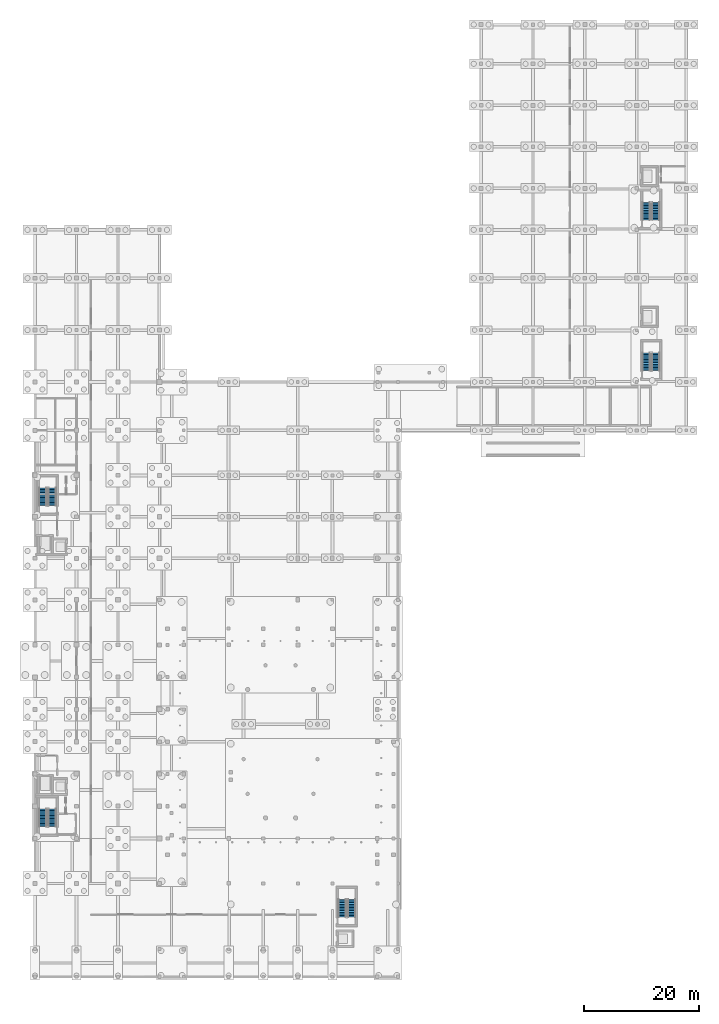
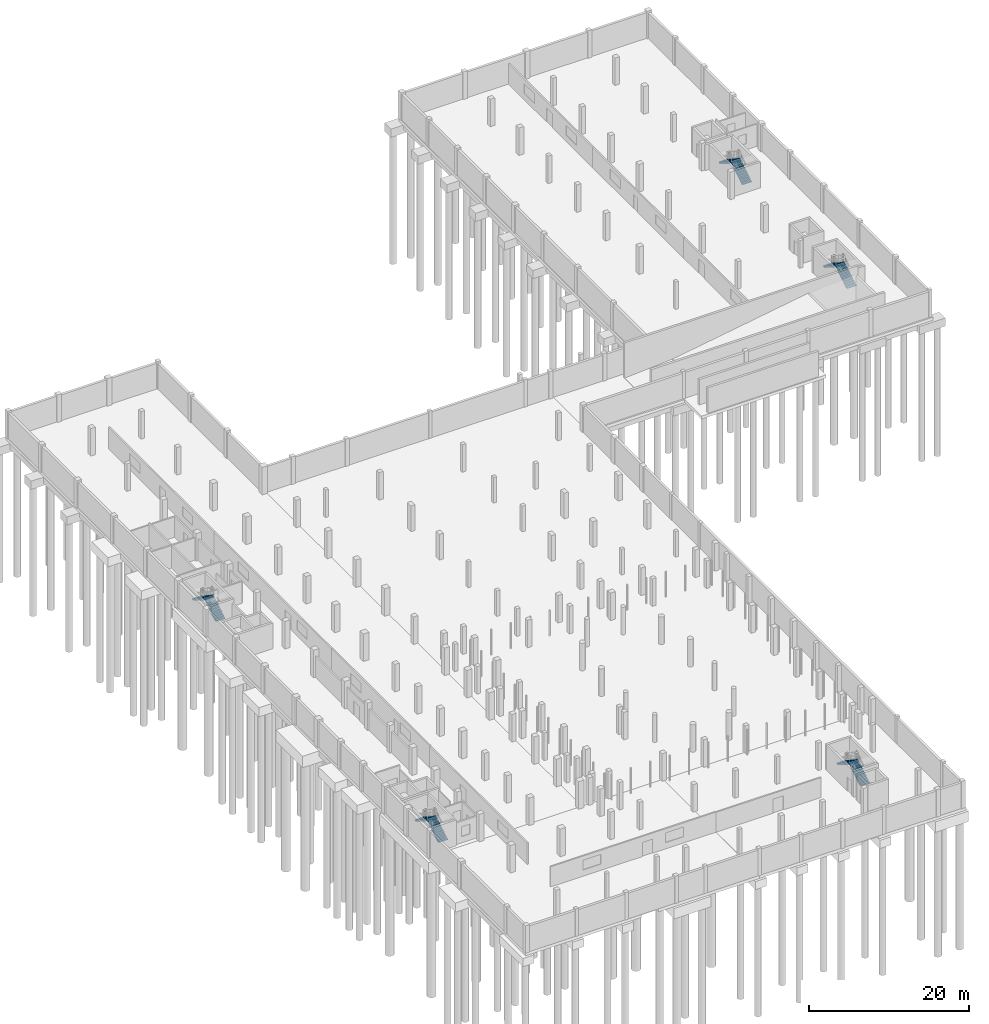
# One storey, part 30 of 34: 10 stair flights, 5 elements without a shape of their own.
"""IFC4 building model written with IfcOpenShell, lengths in metres."""

from ifc_helpers import new_model, si_unit, direction, frame, origin, place, context, subcontext, project, spatial, polyline, outline, extrude, material, type_object, element, aggregate, save


model = new_model("IFC4")

# Units and contexts
model_context = context("Model", 3, precision=1e-05, world=origin(), true_north=direction((0.0, 1.0)))
body_context = subcontext(model_context, "Body", "Model", "MODEL_VIEW")
ifc_project = project(units=[si_unit("LENGTHUNIT", "METRE"), si_unit("AREAUNIT", "SQUARE_METRE"), si_unit("VOLUMEUNIT", "CUBIC_METRE"), si_unit("PLANEANGLEUNIT", "RADIAN"), si_unit("MASSUNIT", "GRAM", prefix="KILO")], contexts=[model_context])

# Site, building, storey
site_placement = place(None, origin())
site = spatial("IfcSite", under=ifc_project, at=site_placement, CompositionType="ELEMENT")
building_placement = place(site_placement, origin())
building = spatial("IfcBuilding", under=site, at=building_placement, Name="Vinh Khe Railworks Police Headquarters", CompositionType="ELEMENT")
storey_placement = place(building_placement, frame((0.0, 0.0, -4.199951171875)))
storey = spatial("IfcBuildingStorey", under=building, at=storey_placement, Name="B1", CompositionType="ELEMENT", Elevation=-4.199951171875)

# Stair, stair flights
ifc_material = material(Name="Precast concrete C40/50 (B40)", Category="concrete")
stair_type = type_object("IfcStairType", Name="ST-CORE-DOGLEG", PredefinedType="HALF_TURN_STAIR", material=ifc_material)
stair_1_placement = place(storey_placement, origin())
stair_1 = element("IfcStair", 1, at=stair_1_placement, inside=storey, type_object=stair_type, Name="B1 Escape Stair ST-01", PredefinedType="HALF_TURN_STAIR")
stair_flight_type = type_object("IfcStairFlightType", Name="STF-PRECAST-1350", PredefinedType="STRAIGHT", material=ifc_material)
stair_flight_1_placement = place(storey_placement, frame((3.625, 27.25, 0.0), z_axis=(0.0, 0.0, 1.0), x_axis=(0.0, 1.0, 0.0)))
stair_flight_1 = element("IfcStairFlight", 2, at=stair_flight_1_placement, type_object=stair_flight_type, Name="ST-01 flight 1", NumberOfRisers=12, NumberOfTreads=11, PredefinedType="STRAIGHT", RiserHeight=0.175, TreadLength=0.28, context=body_context, shape_type="SweptSolid", body=[
    extrude(outline(polyline([(0.0, 0.0), (0.0, 0.175048828125), (0.280029296875, 0.175048828125), (0.280029296875, 0.35009765625), (0.56005859375, 0.35009765625), (0.56005859375, 0.52490234375), (0.840087890625, 0.52490234375), (0.840087890625, 0.699951171875), (1.1201171875, 0.699951171875), (1.1201171875, 0.875), (1.39990234375, 0.875), (1.39990234375, 1.050048828125), (1.679931640625, 1.050048828125), (1.679931640625, 1.22509765625), (1.9599609375, 1.22509765625), (1.9599609375, 1.39990234375), (2.239990234375, 1.39990234375), (2.239990234375, 1.574951171875), (2.52001953125, 1.574951171875), (2.52001953125, 1.75), (2.800048828125, 1.75), (2.800048828125, 1.925048828125), (3.080078125, 1.925048828125), (3.080078125, 2.10009765625), (3.080078125, 1.748291015625), (0.28271484375, 0.0), (0.0, 0.0)])), frame((0.0, 0.675048828125, 0.0), z_axis=(0.0, -1.0, 0.0), x_axis=(1.0, 0.0, 0.0)), (0.0, 0.0, 1.0), 1.35009765625),
])
stair_flight_2_placement = place(storey_placement, frame((1.97509765625, 30.330078125, 2.099853515625), z_axis=(0.0, 0.0, 1.0), x_axis=(0.0, -1.0, 0.0)))
stair_flight_2 = element("IfcStairFlight", 3, at=stair_flight_2_placement, type_object=stair_flight_type, Name="ST-01 flight 2", NumberOfRisers=12, NumberOfTreads=11, PredefinedType="STRAIGHT", RiserHeight=0.175, TreadLength=0.28, context=body_context, shape_type="SweptSolid", body=[
    extrude(outline(polyline([(0.0, 0.0), (0.0, 0.175048828125), (0.280029296875, 0.175048828125), (0.280029296875, 0.35009765625), (0.56005859375, 0.35009765625), (0.56005859375, 0.52490234375), (0.840087890625, 0.52490234375), (0.840087890625, 0.699951171875), (1.1201171875, 0.699951171875), (1.1201171875, 0.875), (1.39990234375, 0.875), (1.39990234375, 1.050048828125), (1.679931640625, 1.050048828125), (1.679931640625, 1.22509765625), (1.9599609375, 1.22509765625), (1.9599609375, 1.39990234375), (2.239990234375, 1.39990234375), (2.239990234375, 1.574951171875), (2.52001953125, 1.574951171875), (2.52001953125, 1.75), (2.800048828125, 1.75), (2.800048828125, 1.925048828125), (3.080078125, 1.925048828125), (3.080078125, 2.10009765625), (3.080078125, 1.748291015625), (0.28271484375, 0.0), (0.0, 0.0)])), frame((0.0, 0.675048828125, 0.0), z_axis=(0.0, -1.0, 0.0), x_axis=(1.0, 0.0, 0.0)), (0.0, 0.0, 1.0), 1.35009765625),
])
aggregate(stair_1, [stair_flight_1, stair_flight_2])

stair_2_placement = place(storey_placement, origin())
stair_2 = element("IfcStair", 4, at=stair_2_placement, inside=storey, type_object=stair_type, Name="B1 Escape Stair ST-02", PredefinedType="HALF_TURN_STAIR")
stair_flight_3_placement = place(storey_placement, frame((3.625, 82.949951171875, 0.0), z_axis=(0.0, 0.0, 1.0), x_axis=(0.0, 1.0, 0.0)))
stair_flight_3 = element("IfcStairFlight", 5, at=stair_flight_3_placement, type_object=stair_flight_type, Name="ST-02 flight 1", NumberOfRisers=12, NumberOfTreads=11, PredefinedType="STRAIGHT", RiserHeight=0.175, TreadLength=0.28, context=body_context, shape_type="SweptSolid", body=[
    extrude(outline(polyline([(0.0, 0.0), (0.0, 0.175048828125), (0.280029296875, 0.175048828125), (0.280029296875, 0.35009765625), (0.56005859375, 0.35009765625), (0.56005859375, 0.52490234375), (0.840087890625, 0.52490234375), (0.840087890625, 0.699951171875), (1.1201171875, 0.699951171875), (1.1201171875, 0.875), (1.39990234375, 0.875), (1.39990234375, 1.050048828125), (1.679931640625, 1.050048828125), (1.679931640625, 1.22509765625), (1.9599609375, 1.22509765625), (1.9599609375, 1.39990234375), (2.239990234375, 1.39990234375), (2.239990234375, 1.574951171875), (2.52001953125, 1.574951171875), (2.52001953125, 1.75), (2.800048828125, 1.75), (2.800048828125, 1.925048828125), (3.080078125, 1.925048828125), (3.080078125, 2.10009765625), (3.080078125, 1.748291015625), (0.28271484375, 0.0), (0.0, 0.0)])), frame((0.0, 0.675048828125, 0.0), z_axis=(0.0, -1.0, 0.0), x_axis=(1.0, 0.0, 0.0)), (0.0, 0.0, 1.0), 1.35009765625),
])
stair_flight_4_placement = place(storey_placement, frame((1.97509765625, 86.030029296875, 2.099853515625), z_axis=(0.0, 0.0, 1.0), x_axis=(0.0, -1.0, 0.0)))
stair_flight_4 = element("IfcStairFlight", 6, at=stair_flight_4_placement, type_object=stair_flight_type, Name="ST-02 flight 2", NumberOfRisers=12, NumberOfTreads=11, PredefinedType="STRAIGHT", RiserHeight=0.175, TreadLength=0.28, context=body_context, shape_type="SweptSolid", body=[
    extrude(outline(polyline([(0.0, 0.0), (0.0, 0.175048828125), (0.280029296875, 0.175048828125), (0.280029296875, 0.35009765625), (0.56005859375, 0.35009765625), (0.56005859375, 0.52490234375), (0.840087890625, 0.52490234375), (0.840087890625, 0.699951171875), (1.1201171875, 0.699951171875), (1.1201171875, 0.875), (1.39990234375, 0.875), (1.39990234375, 1.050048828125), (1.679931640625, 1.050048828125), (1.679931640625, 1.22509765625), (1.9599609375, 1.22509765625), (1.9599609375, 1.39990234375), (2.239990234375, 1.39990234375), (2.239990234375, 1.574951171875), (2.52001953125, 1.574951171875), (2.52001953125, 1.75), (2.800048828125, 1.75), (2.800048828125, 1.925048828125), (3.080078125, 1.925048828125), (3.080078125, 2.10009765625), (3.080078125, 1.748291015625), (0.28271484375, 0.0), (0.0, 0.0)])), frame((0.0, 0.675048828125, 0.0), z_axis=(0.0, -1.0, 0.0), x_axis=(1.0, 0.0, 0.0)), (0.0, 0.0, 1.0), 1.35009765625),
])
aggregate(stair_2, [stair_flight_3, stair_flight_4])

stair_3_placement = place(storey_placement, origin())
stair_3 = element("IfcStair", 7, at=stair_3_placement, inside=storey, type_object=stair_type, Name="B1 Escape Stair ST-03", PredefinedType="HALF_TURN_STAIR")
stair_flight_5_placement = place(storey_placement, frame((108.324951171875, 132.5, 0.0), z_axis=(0.0, 0.0, 1.0), x_axis=(0.0, 1.0, 0.0)))
stair_flight_5 = element("IfcStairFlight", 8, at=stair_flight_5_placement, type_object=stair_flight_type, Name="ST-03 flight 1", NumberOfRisers=12, NumberOfTreads=11, PredefinedType="STRAIGHT", RiserHeight=0.175, TreadLength=0.28, context=body_context, shape_type="SweptSolid", body=[
    extrude(outline(polyline([(0.0, 0.0), (0.0, 0.175048828125), (0.280029296875, 0.175048828125), (0.280029296875, 0.35009765625), (0.56005859375, 0.35009765625), (0.56005859375, 0.52490234375), (0.840087890625, 0.52490234375), (0.840087890625, 0.699951171875), (1.1201171875, 0.699951171875), (1.1201171875, 0.875), (1.39990234375, 0.875), (1.39990234375, 1.050048828125), (1.679931640625, 1.050048828125), (1.679931640625, 1.22509765625), (1.9599609375, 1.22509765625), (1.9599609375, 1.39990234375), (2.239990234375, 1.39990234375), (2.239990234375, 1.574951171875), (2.52001953125, 1.574951171875), (2.52001953125, 1.75), (2.800048828125, 1.75), (2.800048828125, 1.925048828125), (3.080078125, 1.925048828125), (3.080078125, 2.10009765625), (3.080078125, 1.748291015625), (0.28271484375, 0.0), (0.0, 0.0)])), frame((0.0, 0.675048828125, 0.0), z_axis=(0.0, -1.0, 0.0), x_axis=(1.0, 0.0, 0.0)), (0.0, 0.0, 1.0), 1.35009765625),
])
stair_flight_6_placement = place(storey_placement, frame((106.675048828125, 135.580078125, 2.099853515625), z_axis=(0.0, 0.0, 1.0), x_axis=(0.0, -1.0, 0.0)))
stair_flight_6 = element("IfcStairFlight", 9, at=stair_flight_6_placement, type_object=stair_flight_type, Name="ST-03 flight 2", NumberOfRisers=12, NumberOfTreads=11, PredefinedType="STRAIGHT", RiserHeight=0.175, TreadLength=0.28, context=body_context, shape_type="SweptSolid", body=[
    extrude(outline(polyline([(0.0, 0.0), (0.0, 0.175048828125), (0.280029296875, 0.175048828125), (0.280029296875, 0.35009765625), (0.56005859375, 0.35009765625), (0.56005859375, 0.52490234375), (0.840087890625, 0.52490234375), (0.840087890625, 0.699951171875), (1.1201171875, 0.699951171875), (1.1201171875, 0.875), (1.39990234375, 0.875), (1.39990234375, 1.050048828125), (1.679931640625, 1.050048828125), (1.679931640625, 1.22509765625), (1.9599609375, 1.22509765625), (1.9599609375, 1.39990234375), (2.239990234375, 1.39990234375), (2.239990234375, 1.574951171875), (2.52001953125, 1.574951171875), (2.52001953125, 1.75), (2.800048828125, 1.75), (2.800048828125, 1.925048828125), (3.080078125, 1.925048828125), (3.080078125, 2.10009765625), (3.080078125, 1.748291015625), (0.28271484375, 0.0), (0.0, 0.0)])), frame((0.0, 0.675048828125, 0.0), z_axis=(0.0, -1.0, 0.0), x_axis=(1.0, 0.0, 0.0)), (0.0, 0.0, 1.0), 1.35009765625),
])
aggregate(stair_3, [stair_flight_5, stair_flight_6])

stair_4_placement = place(storey_placement, origin())
stair_4 = element("IfcStair", 10, at=stair_4_placement, inside=storey, type_object=stair_type, Name="B1 Escape Stair ST-04", PredefinedType="HALF_TURN_STAIR")
stair_flight_7_placement = place(storey_placement, frame((108.324951171875, 106.35009765625, 0.0), z_axis=(0.0, 0.0, 1.0), x_axis=(0.0, 1.0, 0.0)))
stair_flight_7 = element("IfcStairFlight", 11, at=stair_flight_7_placement, type_object=stair_flight_type, Name="ST-04 flight 1", NumberOfRisers=12, NumberOfTreads=11, PredefinedType="STRAIGHT", RiserHeight=0.175, TreadLength=0.28, context=body_context, shape_type="SweptSolid", body=[
    extrude(outline(polyline([(0.0, 0.0), (0.0, 0.175048828125), (0.280029296875, 0.175048828125), (0.280029296875, 0.35009765625), (0.56005859375, 0.35009765625), (0.56005859375, 0.52490234375), (0.840087890625, 0.52490234375), (0.840087890625, 0.699951171875), (1.1201171875, 0.699951171875), (1.1201171875, 0.875), (1.39990234375, 0.875), (1.39990234375, 1.050048828125), (1.679931640625, 1.050048828125), (1.679931640625, 1.22509765625), (1.9599609375, 1.22509765625), (1.9599609375, 1.39990234375), (2.239990234375, 1.39990234375), (2.239990234375, 1.574951171875), (2.52001953125, 1.574951171875), (2.52001953125, 1.75), (2.800048828125, 1.75), (2.800048828125, 1.925048828125), (3.080078125, 1.925048828125), (3.080078125, 2.10009765625), (3.080078125, 1.748291015625), (0.28271484375, 0.0), (0.0, 0.0)])), frame((0.0, 0.675048828125, 0.0), z_axis=(0.0, -1.0, 0.0), x_axis=(1.0, 0.0, 0.0)), (0.0, 0.0, 1.0), 1.35009765625),
])
stair_flight_8_placement = place(storey_placement, frame((106.675048828125, 109.429931640625, 2.099853515625), z_axis=(0.0, 0.0, 1.0), x_axis=(0.0, -1.0, 0.0)))
stair_flight_8 = element("IfcStairFlight", 12, at=stair_flight_8_placement, type_object=stair_flight_type, Name="ST-04 flight 2", NumberOfRisers=12, NumberOfTreads=11, PredefinedType="STRAIGHT", RiserHeight=0.175, TreadLength=0.28, context=body_context, shape_type="SweptSolid", body=[
    extrude(outline(polyline([(0.0, 0.0), (0.0, 0.175048828125), (0.280029296875, 0.175048828125), (0.280029296875, 0.35009765625), (0.56005859375, 0.35009765625), (0.56005859375, 0.52490234375), (0.840087890625, 0.52490234375), (0.840087890625, 0.699951171875), (1.1201171875, 0.699951171875), (1.1201171875, 0.875), (1.39990234375, 0.875), (1.39990234375, 1.050048828125), (1.679931640625, 1.050048828125), (1.679931640625, 1.22509765625), (1.9599609375, 1.22509765625), (1.9599609375, 1.39990234375), (2.239990234375, 1.39990234375), (2.239990234375, 1.574951171875), (2.52001953125, 1.574951171875), (2.52001953125, 1.75), (2.800048828125, 1.75), (2.800048828125, 1.925048828125), (3.080078125, 1.925048828125), (3.080078125, 2.10009765625), (3.080078125, 1.748291015625), (0.28271484375, 0.0), (0.0, 0.0)])), frame((0.0, 0.675048828125, 0.0), z_axis=(0.0, -1.0, 0.0), x_axis=(1.0, 0.0, 0.0)), (0.0, 0.0, 1.0), 1.35009765625),
])
aggregate(stair_4, [stair_flight_7, stair_flight_8])

stair_5_placement = place(storey_placement, origin())
stair_5 = element("IfcStair", 13, at=stair_5_placement, inside=storey, type_object=stair_type, Name="B1 Escape Stair ST-05", PredefinedType="HALF_TURN_STAIR")
stair_flight_9_placement = place(storey_placement, frame((55.52490234375, 11.550048828125, 0.0), z_axis=(0.0, 0.0, 1.0), x_axis=(0.0, 1.0, 0.0)))
stair_flight_9 = element("IfcStairFlight", 14, at=stair_flight_9_placement, type_object=stair_flight_type, Name="ST-05 flight 1", NumberOfRisers=12, NumberOfTreads=11, PredefinedType="STRAIGHT", RiserHeight=0.175, TreadLength=0.28, context=body_context, shape_type="SweptSolid", body=[
    extrude(outline(polyline([(0.0, 0.0), (0.0, 0.175048828125), (0.280029296875, 0.175048828125), (0.280029296875, 0.35009765625), (0.56005859375, 0.35009765625), (0.56005859375, 0.52490234375), (0.840087890625, 0.52490234375), (0.840087890625, 0.699951171875), (1.1201171875, 0.699951171875), (1.1201171875, 0.875), (1.39990234375, 0.875), (1.39990234375, 1.050048828125), (1.679931640625, 1.050048828125), (1.679931640625, 1.22509765625), (1.9599609375, 1.22509765625), (1.9599609375, 1.39990234375), (2.239990234375, 1.39990234375), (2.239990234375, 1.574951171875), (2.52001953125, 1.574951171875), (2.52001953125, 1.75), (2.800048828125, 1.75), (2.800048828125, 1.925048828125), (3.080078125, 1.925048828125), (3.080078125, 2.10009765625), (3.080078125, 1.748291015625), (0.28271484375, 0.0), (0.0, 0.0)])), frame((0.0, 0.675048828125, 0.0), z_axis=(0.0, -1.0, 0.0), x_axis=(1.0, 0.0, 0.0)), (0.0, 0.0, 1.0), 1.35009765625),
])
stair_flight_10_placement = place(storey_placement, frame((53.875, 14.6298828125, 2.099853515625), z_axis=(0.0, 0.0, 1.0), x_axis=(0.0, -1.0, 0.0)))
stair_flight_10 = element("IfcStairFlight", 15, at=stair_flight_10_placement, type_object=stair_flight_type, Name="ST-05 flight 2", NumberOfRisers=12, NumberOfTreads=11, PredefinedType="STRAIGHT", RiserHeight=0.175, TreadLength=0.28, context=body_context, shape_type="SweptSolid", body=[
    extrude(outline(polyline([(0.0, 0.0), (0.0, 0.175048828125), (0.280029296875, 0.175048828125), (0.280029296875, 0.35009765625), (0.56005859375, 0.35009765625), (0.56005859375, 0.52490234375), (0.840087890625, 0.52490234375), (0.840087890625, 0.699951171875), (1.1201171875, 0.699951171875), (1.1201171875, 0.875), (1.39990234375, 0.875), (1.39990234375, 1.050048828125), (1.679931640625, 1.050048828125), (1.679931640625, 1.22509765625), (1.9599609375, 1.22509765625), (1.9599609375, 1.39990234375), (2.239990234375, 1.39990234375), (2.239990234375, 1.574951171875), (2.52001953125, 1.574951171875), (2.52001953125, 1.75), (2.800048828125, 1.75), (2.800048828125, 1.925048828125), (3.080078125, 1.925048828125), (3.080078125, 2.10009765625), (3.080078125, 1.748291015625), (0.28271484375, 0.0), (0.0, 0.0)])), frame((0.0, 0.675048828125, 0.0), z_axis=(0.0, -1.0, 0.0), x_axis=(1.0, 0.0, 0.0)), (0.0, 0.0, 1.0), 1.35009765625),
])
aggregate(stair_5, [stair_flight_9, stair_flight_10])

save(model, "model.ifc")
